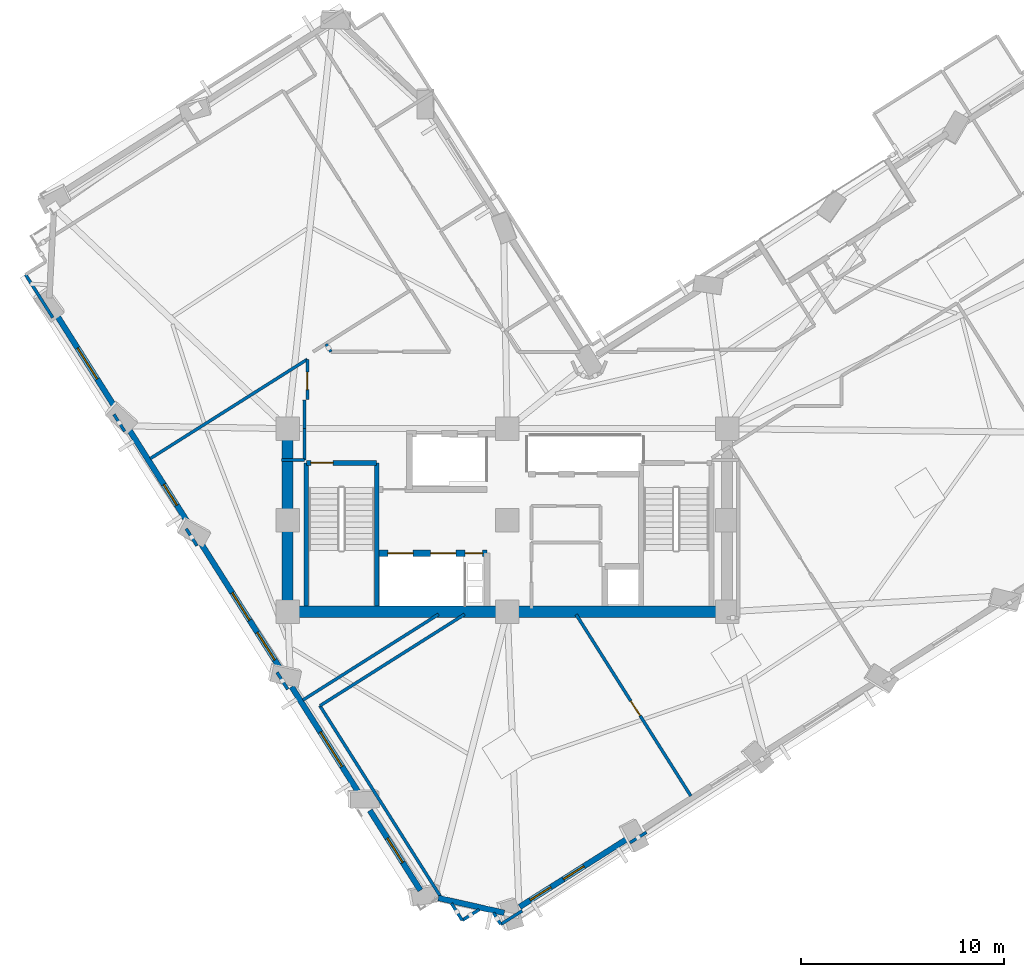
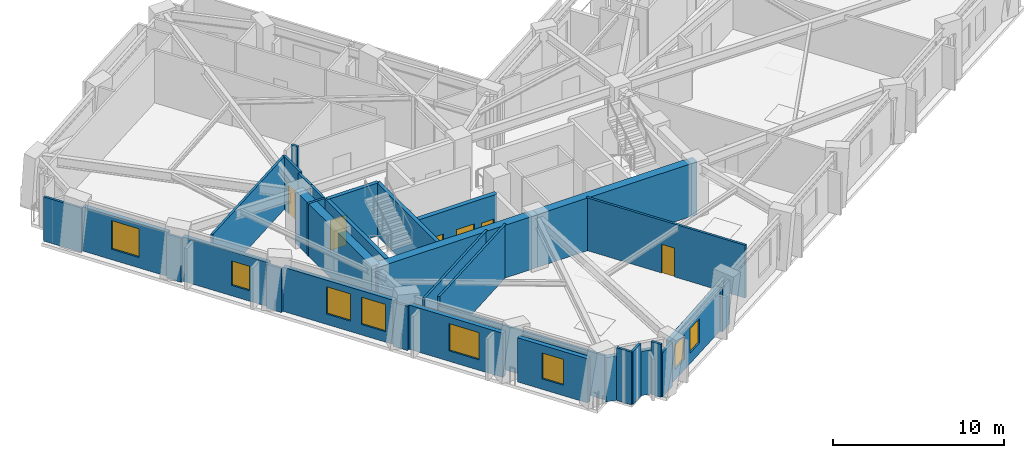
# One storey, part 5 of 14: 33 walls, 8 windows, 6 doors, 14 openings.
"""IFC4 building model written with IfcOpenShell, lengths in metres."""

from ifc_helpers import new_model, si_unit, direction, frame, frame_2d, origin, place, context, subcontext, project, spatial, rectangle, extrude, material, layer, layer_set, type_object, element, fill, save


model = new_model("IFC4")

# Units and contexts
model_context = context("Model", 3, precision=1e-05, world=origin(), true_north=direction((0.0, 1.0)))
body_context = subcontext(model_context, "Body", "Model", "MODEL_VIEW")
ifc_project = project(units=[si_unit("LENGTHUNIT", "METRE"), si_unit("AREAUNIT", "SQUARE_METRE"), si_unit("VOLUMEUNIT", "CUBIC_METRE"), si_unit("PLANEANGLEUNIT", "RADIAN"), si_unit("MASSUNIT", "GRAM", prefix="KILO")], contexts=[model_context])

# Site, building, storey
site_placement = place(None, origin())
site = spatial("IfcSite", under=ifc_project, at=site_placement, CompositionType="ELEMENT")
building_placement = place(site_placement, origin())
building = spatial("IfcBuilding", under=site, at=building_placement, Name="Gaonmaruhae Medical Tower", CompositionType="ELEMENT")
storey_placement = place(building_placement, frame((0.0, 0.0, 161.800048828125)))
storey = spatial("IfcBuildingStorey", under=building, at=storey_placement, Name="L38", CompositionType="ELEMENT", Elevation=161.800048828125)

# Walls
ifc_material_1 = material(Name="Concrete C50/60", Category="concrete")
ifc_layer_1 = layer(ifc_material_1, 0.550048828125)
ifc_layer_set_1 = layer_set([ifc_layer_1], Name="Concrete C50/60")
wall_type_1 = type_object("IfcWallType", Name="CW-550 Mid-High Core Shear Wall", PredefinedType="SHEAR", material=ifc_layer_set_1)
for number, where, z_axis, x_axis, name in (
    (1, (14.0, 7.800048828125, 0.0), (0.0, 0.0, 1.0), (1.0, 0.0, 0.0), "L38 Core Shear Wall CSW-S1"),
    (2, (24.800048828125, 7.800048828125, 0.0), (0.0, 0.0, 1.0), (1.0, 0.0, 0.0), "L38 Core Shear Wall CSW-S2"),
):
    element("IfcWall", number, at=place(storey_placement, frame(where, z_axis=z_axis, x_axis=x_axis)), inside=storey, type_object=wall_type_1, Name=name, PredefinedType="SHEAR", context=body_context, shape_type="SweptSolid", body=[
        extrude(rectangle(XDim=10.800048828125, YDim=0.550048828125, at=frame_2d((5.39990234375, 0.0))), origin(), (0.0, 0.0, 1.0), 3.780029296875),
    ])
wall_1_placement = place(storey_placement, frame((14.0, 16.800048828125, 0.0), z_axis=(0.0, 0.0, 1.0), x_axis=(0.0, -1.0, 0.0)))
element("IfcWall", 3, at=wall_1_placement, inside=storey, type_object=wall_type_1, Name="L38 Core Shear Wall CSW-W1", PredefinedType="SHEAR", context=body_context, shape_type="SweptSolid", body=[
    extrude(rectangle(XDim=9.0, YDim=0.550048828125, at=frame_2d((4.5, 0.0))), origin(), (0.0, 0.0, 1.0), 3.780029296875),
])

# Wall, openings, windows
ifc_material_2 = material(Name="Precast concrete C45/55", Category="concrete")
ifc_layer_2 = layer(ifc_material_2, 0.280029296875)
ifc_layer_set_2 = layer_set([ifc_layer_2], Name="Precast concrete C45/55")
wall_type_2 = type_object("IfcWallType", Name="EW-280 Upper Precast Masonry-Frame Facade Wall", PredefinedType="SOLIDWALL", material=ifc_layer_set_2)
wall_2_placement = place(storey_placement, frame((30.70556640625, -3.35302734375, 0.0), z_axis=(0.0, 0.0, 1.0), x_axis=(-0.845254723523, -0.534363595656, 0.0)))
wall_2 = element("IfcWall", 4, at=wall_2_placement, inside=storey, type_object=wall_type_2, Name="L38 Precast Masonry-Frame Wall S01-S02", PredefinedType="SOLIDWALL", context=body_context, shape_type="SweptSolid", body=[
    extrude(rectangle(XDim=6.269775390625, YDim=0.280029296875, at=frame_2d((3.134765625, 0.0))), origin(), (0.0, 0.0, 1.0), 3.1650390625),
])
opening_1_placement = place(wall_2_placement, frame((2.529296875, 0.0, 0.75)))
opening_1 = element("IfcOpeningElement", 5, at=opening_1_placement, cuts=wall_2, Name="Opening WN-05", PredefinedType="OPENING", context=body_context, shape_type="SweptSolid", body=[
    extrude(rectangle(XDim=1.199951171875, YDim=1.75, at=frame_2d((0.60009765625, 0.875))), frame((0.0, 0.14990234375, 0.0), z_axis=(0.0, -1.0, 0.0), x_axis=(1.0, 0.0, 0.0)), (0.0, 0.0, 1.0), 0.300048828125),
])
opening_2_placement = place(wall_2_placement, frame((4.453857421875, 0.0, 0.75)))
opening_2 = element("IfcOpeningElement", 6, at=opening_2_placement, cuts=wall_2, Name="Opening WN-05", PredefinedType="OPENING", context=body_context, shape_type="SweptSolid", body=[
    extrude(rectangle(XDim=1.199951171875, YDim=1.75, at=frame_2d((0.60009765625, 0.875))), frame((0.0, 0.14990234375, 0.0), z_axis=(0.0, -1.0, 0.0), x_axis=(1.0, 0.0, 0.0)), (0.0, 0.0, 1.0), 0.300048828125),
])
ifc_material_3 = material(Name="Anodised aluminium and Low-E double glazing", Category="aluminium")
window_type_1 = type_object("IfcWindowType", Name="WN-05 Support & Staff Punched Window 1200x1750", PartitioningType="SINGLE_PANEL", PredefinedType="WINDOW", material=ifc_material_3)
window_1_placement = place(opening_1_placement, origin())
window_1 = element("IfcWindow", 7, at=window_1_placement, inside=storey, type_object=window_type_1, Name="L38 Modular Facade Window S01", OverallHeight=1.75, OverallWidth=1.199951171875, PartitioningType="SINGLE_PANEL", PredefinedType="WINDOW", context=body_context, shape_type="SweptSolid", body=[
    extrude(rectangle(XDim=1.199951171875, YDim=1.75, at=frame_2d((0.60009765625, 0.875))), frame((0.0, 0.030029296875, 0.0), z_axis=(0.0, -1.0, 0.0), x_axis=(1.0, 0.0, 0.0)), (0.0, 0.0, 1.0), 0.06005859375),
])
fill(opening_1, window_1)
window_2_placement = place(opening_2_placement, origin())
window_2 = element("IfcWindow", 8, at=window_2_placement, inside=storey, type_object=window_type_1, Name="L38 Modular Facade Window S01B", OverallHeight=1.75, OverallWidth=1.199951171875, PartitioningType="SINGLE_PANEL", PredefinedType="WINDOW", context=body_context, shape_type="SweptSolid", body=[
    extrude(rectangle(XDim=1.199951171875, YDim=1.75, at=frame_2d((0.60009765625, 0.875))), frame((0.0, 0.030029296875, 0.0), z_axis=(0.0, -1.0, 0.0), x_axis=(1.0, 0.0, 0.0)), (0.0, 0.0, 1.0), 0.06005859375),
])
fill(opening_2, window_2)

# Wall, opening, window
wall_3_placement = place(storey_placement, frame((5.66162109375, 17.623779296875, 0.0), z_axis=(0.0, 0.0, 1.0), x_axis=(-0.534374867021, 0.845247597746, 0.0)))
wall_3 = element("IfcWall", 9, at=wall_3_placement, inside=storey, type_object=wall_type_2, Name="L38 Precast Masonry-Frame Wall W01-W02", PredefinedType="SOLIDWALL", context=body_context, shape_type="SweptSolid", body=[
    extrude(rectangle(XDim=5.627685546875, YDim=0.280029296875, at=frame_2d((2.81396484375, 0.0))), origin(), (0.0, 0.0, 1.0), 3.1650390625),
])
opening_3_placement = place(wall_3_placement, frame((1.9111328125, 0.0, 0.75)))
opening_3 = element("IfcOpeningElement", 10, at=opening_3_placement, cuts=wall_3, Name="Opening WN-04", PredefinedType="OPENING", context=body_context, shape_type="SweptSolid", body=[
    extrude(rectangle(XDim=1.800048828125, YDim=2.050048828125, at=frame_2d((0.89990234375, 1.02490234375))), frame((0.0, 0.14990234375, 0.0), z_axis=(0.0, -1.0, 0.0), x_axis=(1.0, 0.0, 0.0)), (0.0, 0.0, 1.0), 0.300048828125),
])
window_type_2 = type_object("IfcWindowType", Name="WN-04 Clinic & Consult Punched Window 1800x2050", PartitioningType="SINGLE_PANEL", PredefinedType="WINDOW", material=ifc_material_3)
window_3_placement = place(opening_3_placement, origin())
window_3 = element("IfcWindow", 11, at=window_3_placement, inside=storey, type_object=window_type_2, Name="L38 Modular Facade Window W01", OverallHeight=2.050048828125, OverallWidth=1.800048828125, PartitioningType="SINGLE_PANEL", PredefinedType="WINDOW", context=body_context, shape_type="SweptSolid", body=[
    extrude(rectangle(XDim=1.800048828125, YDim=2.050048828125, at=frame_2d((0.89990234375, 1.02490234375))), frame((0.0, 0.030029296875, 0.0), z_axis=(0.0, -1.0, 0.0), x_axis=(1.0, 0.0, 0.0)), (0.0, 0.0, 1.0), 0.06005859375),
])
fill(opening_3, window_3)

wall_4_placement = place(storey_placement, frame((9.212158203125, 12.007080078125, 0.0), z_axis=(0.0, 0.0, 1.0), x_axis=(-0.534348210739, 0.845264449554, 0.0)))
wall_4 = element("IfcWall", 12, at=wall_4_placement, inside=storey, type_object=wall_type_2, Name="L38 Precast Masonry-Frame Wall W02-W03", PredefinedType="SOLIDWALL", context=body_context, shape_type="SweptSolid", body=[
    extrude(rectangle(XDim=5.662353515625, YDim=0.280029296875, at=frame_2d((2.8310546875, 0.0))), origin(), (0.0, 0.0, 1.0), 3.1650390625),
])
opening_4_placement = place(wall_4_placement, frame((1.223388671875, 0.0, 0.75)))
opening_4 = element("IfcOpeningElement", 13, at=opening_4_placement, cuts=wall_4, Name="Opening WN-05", PredefinedType="OPENING", context=body_context, shape_type="SweptSolid", body=[
    extrude(rectangle(XDim=1.199951171875, YDim=1.75, at=frame_2d((0.60009765625, 0.875))), frame((0.0, 0.14990234375, 0.0), z_axis=(0.0, -1.0, 0.0), x_axis=(1.0, 0.0, 0.0)), (0.0, 0.0, 1.0), 0.300048828125),
])
window_4_placement = place(opening_4_placement, origin())
window_4 = element("IfcWindow", 14, at=window_4_placement, inside=storey, type_object=window_type_1, Name="L38 Modular Facade Window W02", OverallHeight=1.75, OverallWidth=1.199951171875, PartitioningType="SINGLE_PANEL", PredefinedType="WINDOW", context=body_context, shape_type="SweptSolid", body=[
    extrude(rectangle(XDim=1.199951171875, YDim=1.75, at=frame_2d((0.60009765625, 0.875))), frame((0.0, 0.030029296875, 0.0), z_axis=(0.0, -1.0, 0.0), x_axis=(1.0, 0.0, 0.0)), (0.0, 0.0, 1.0), 0.06005859375),
])
fill(opening_4, window_4)

# Wall, openings, windows
wall_5_placement = place(storey_placement, frame((13.67529296875, 4.947265625, 0.0), z_axis=(0.0, 0.0, 1.0), x_axis=(-0.534359841205, 0.845257097047, 0.0)))
wall_5 = element("IfcWall", 15, at=wall_5_placement, inside=storey, type_object=wall_type_2, Name="L38 Precast Masonry-Frame Wall W03-W04", PredefinedType="SOLIDWALL", context=body_context, shape_type="SweptSolid", body=[
    extrude(rectangle(XDim=7.3603515625, YDim=0.280029296875, at=frame_2d((3.68017578125, 0.0))), origin(), (0.0, 0.0, 1.0), 3.1650390625),
])
opening_5_placement = place(wall_5_placement, frame((2.880859375, 0.0, 0.75)))
opening_5 = element("IfcOpeningElement", 16, at=opening_5_placement, cuts=wall_5, Name="Opening WN-01", PredefinedType="OPENING", context=body_context, shape_type="SweptSolid", body=[
    extrude(rectangle(XDim=1.60009765625, YDim=1.949951171875, at=frame_2d((0.800048828125, 0.97509765625))), frame((0.0, 0.14990234375, 0.0), z_axis=(0.0, -1.0, 0.0), x_axis=(1.0, 0.0, 0.0)), (0.0, 0.0, 1.0), 0.300048828125),
])
opening_6_placement = place(wall_5_placement, frame((0.576171875, 0.0, 0.75)))
opening_6 = element("IfcOpeningElement", 17, at=opening_6_placement, cuts=wall_5, Name="Opening WN-01", PredefinedType="OPENING", context=body_context, shape_type="SweptSolid", body=[
    extrude(rectangle(XDim=1.60009765625, YDim=1.949951171875, at=frame_2d((0.800048828125, 0.97509765625))), frame((0.0, 0.14990234375, 0.0), z_axis=(0.0, -1.0, 0.0), x_axis=(1.0, 0.0, 0.0)), (0.0, 0.0, 1.0), 0.300048828125),
])
window_type_3 = type_object("IfcWindowType", Name="WN-01 Ward Punched Acoustic Window 1600x1950", PartitioningType="SINGLE_PANEL", PredefinedType="WINDOW", material=ifc_material_3)
window_5_placement = place(opening_5_placement, origin())
window_5 = element("IfcWindow", 18, at=window_5_placement, inside=storey, type_object=window_type_3, Name="L38 Modular Facade Window W03", OverallHeight=1.949951171875, OverallWidth=1.60009765625, PartitioningType="SINGLE_PANEL", PredefinedType="WINDOW", context=body_context, shape_type="SweptSolid", body=[
    extrude(rectangle(XDim=1.60009765625, YDim=1.949951171875, at=frame_2d((0.800048828125, 0.97509765625))), frame((0.0, 0.030029296875, 0.0), z_axis=(0.0, -1.0, 0.0), x_axis=(1.0, 0.0, 0.0)), (0.0, 0.0, 1.0), 0.06005859375),
])
fill(opening_5, window_5)
window_6_placement = place(opening_6_placement, origin())
window_6 = element("IfcWindow", 19, at=window_6_placement, inside=storey, type_object=window_type_3, Name="L38 Modular Facade Window W03B", OverallHeight=1.949951171875, OverallWidth=1.60009765625, PartitioningType="SINGLE_PANEL", PredefinedType="WINDOW", context=body_context, shape_type="SweptSolid", body=[
    extrude(rectangle(XDim=1.60009765625, YDim=1.949951171875, at=frame_2d((0.800048828125, 0.97509765625))), frame((0.0, 0.030029296875, 0.0), z_axis=(0.0, -1.0, 0.0), x_axis=(1.0, 0.0, 0.0)), (0.0, 0.0, 1.0), 0.06005859375),
])
fill(opening_6, window_6)

# Wall, opening, window
wall_6_placement = place(storey_placement, frame((17.52783203125, -1.14697265625, 0.0), z_axis=(0.0, 0.0, 1.0), x_axis=(-0.534339793989, 0.845269770287, 0.0)))
wall_6 = element("IfcWall", 20, at=wall_6_placement, inside=storey, type_object=wall_type_2, Name="L38 Precast Masonry-Frame Wall W04-W05", PredefinedType="SOLIDWALL", context=body_context, shape_type="SweptSolid", body=[
    extrude(rectangle(XDim=6.223388671875, YDim=0.280029296875, at=frame_2d((3.11181640625, 0.0))), origin(), (0.0, 0.0, 1.0), 3.1650390625),
])
opening_7_placement = place(wall_6_placement, frame((1.587646484375, 0.0, 0.75)))
opening_7 = element("IfcOpeningElement", 21, at=opening_7_placement, cuts=wall_6, Name="Opening WN-02", PredefinedType="OPENING", context=body_context, shape_type="SweptSolid", body=[
    extrude(rectangle(XDim=2.0, YDim=1.949951171875, at=frame_2d((1.0, 0.97509765625))), frame((0.0, 0.14990234375, 0.0), z_axis=(0.0, -1.0, 0.0), x_axis=(1.0, 0.0, 0.0)), (0.0, 0.0, 1.0), 0.300048828125),
])
window_type_4 = type_object("IfcWindowType", Name="WN-02 Double-Bed Ward Punched Window 2000x1950", PartitioningType="SINGLE_PANEL", PredefinedType="WINDOW", material=ifc_material_3)
window_7_placement = place(opening_7_placement, origin())
window_7 = element("IfcWindow", 22, at=window_7_placement, inside=storey, type_object=window_type_4, Name="L38 Modular Facade Window W04", OverallHeight=1.949951171875, OverallWidth=2.0, PartitioningType="SINGLE_PANEL", PredefinedType="WINDOW", context=body_context, shape_type="SweptSolid", body=[
    extrude(rectangle(XDim=2.0, YDim=1.949951171875, at=frame_2d((1.0, 0.97509765625))), frame((0.0, 0.030029296875, 0.0), z_axis=(0.0, -1.0, 0.0), x_axis=(1.0, 0.0, 0.0)), (0.0, 0.0, 1.0), 0.06005859375),
])
fill(opening_7, window_7)

wall_7_placement = place(storey_placement, frame((20.527099609375, -5.8916015625, 0.0), z_axis=(0.0, 0.0, 1.0), x_axis=(-0.53434079208, 0.845269139339, 0.0)))
wall_7 = element("IfcWall", 23, at=wall_7_placement, inside=storey, type_object=wall_type_2, Name="L38 Precast Masonry-Frame Wall W05-W06", PredefinedType="SOLIDWALL", context=body_context, shape_type="SweptSolid", body=[
    extrude(rectangle(XDim=4.647705078125, YDim=0.280029296875, at=frame_2d((2.32373046875, 0.0))), origin(), (0.0, 0.0, 1.0), 3.1650390625),
])
opening_8_placement = place(wall_7_placement, frame((1.627197265625, 0.0, 0.75)))
opening_8 = element("IfcOpeningElement", 24, at=opening_8_placement, cuts=wall_7, Name="Opening WN-03", PredefinedType="OPENING", context=body_context, shape_type="SweptSolid", body=[
    extrude(rectangle(XDim=1.39990234375, YDim=1.85009765625, at=frame_2d((0.699951171875, 0.925048828125))), frame((0.0, 0.14990234375, 0.0), z_axis=(0.0, -1.0, 0.0), x_axis=(1.0, 0.0, 0.0)), (0.0, 0.0, 1.0), 0.300048828125),
])
window_type_5 = type_object("IfcWindowType", Name="WN-03 Isolation Ward Punched Window 1400x1850", PartitioningType="SINGLE_PANEL", PredefinedType="WINDOW", material=ifc_material_3)
window_8_placement = place(opening_8_placement, origin())
window_8 = element("IfcWindow", 25, at=window_8_placement, inside=storey, type_object=window_type_5, Name="L38 Modular Facade Window W05", OverallHeight=1.85009765625, OverallWidth=1.39990234375, PartitioningType="SINGLE_PANEL", PredefinedType="WINDOW", context=body_context, shape_type="SweptSolid", body=[
    extrude(rectangle(XDim=1.39990234375, YDim=1.85009765625, at=frame_2d((0.699951171875, 0.925048828125))), frame((0.0, 0.030029296875, 0.0), z_axis=(0.0, -1.0, 0.0), x_axis=(1.0, 0.0, 0.0)), (0.0, 0.0, 1.0), 0.06005859375),
])
fill(opening_8, window_8)

# Walls
wall_8_placement = place(storey_placement, frame((24.647705078125, -6.996337890625, 0.0), z_axis=(0.0, 0.0, 1.0), x_axis=(-0.97553613825, 0.219839129747, 0.0)))
element("IfcWall", 26, at=wall_8_placement, inside=storey, type_object=wall_type_2, Name="L38 Precast Masonry-Frame Wall W06-S01", PredefinedType="SOLIDWALL", context=body_context, shape_type="SweptSolid", body=[
    extrude(rectangle(XDim=3.32275390625, YDim=0.280029296875, at=frame_2d((1.661376953125, 0.0))), origin(), (0.0, 0.0, 1.0), 3.1650390625),
])
ifc_material_4 = material(Name="Gypsum board partition", Category="gypsum")
ifc_layer_3 = layer(ifc_material_4, 0.14990234375)
ifc_layer_set_3 = layer_set([ifc_layer_3], Name="Gypsum board partition")
wall_type_3 = type_object("IfcWallType", Name="PW-150 Rated Clinical Corridor Partition", PredefinedType="PARTITIONING", material=ifc_layer_set_3)
wall_9_placement = place(storey_placement, frame((22.58203125, -7.364013671875, 0.0), z_axis=(0.0, 0.0, 1.0), x_axis=(-0.534262963466, 0.845318334043, 0.0)))
element("IfcWall", 27, at=wall_9_placement, inside=storey, type_object=wall_type_3, Name="L38 Interior Partition L38-SUP01-7", PredefinedType="PARTITIONING", context=body_context, shape_type="SweptSolid", body=[
    extrude(rectangle(XDim=0.986572265625, YDim=0.14990234375, at=frame_2d((0.4931640625, 0.0))), origin(), (0.0, 0.0, 1.0), 3.780029296875),
])
wall_10_placement = place(storey_placement, frame((21.5009765625, -6.1689453125, 0.0), z_axis=(0.0, 0.0, 1.0), x_axis=(-0.534362466771, 0.845255437194, 0.0)))
element("IfcWall", 28, at=wall_10_placement, inside=storey, type_object=wall_type_3, Name="L38 Interior Partition L38-SUP01-8", PredefinedType="PARTITIONING", context=body_context, shape_type="SweptSolid", body=[
    extrude(rectangle(XDim=11.0615234375, YDim=0.14990234375, at=frame_2d((5.53076171875, 0.0))), origin(), (0.0, 0.0, 1.0), 3.1650390625),
])
wall_11_placement = place(storey_placement, frame((15.590087890625, 3.180908203125, 0.0), z_axis=(0.0, 0.0, 1.0), x_axis=(0.845257053827, 0.53435990957, 0.0)))
element("IfcWall", 29, at=wall_11_placement, inside=storey, type_object=wall_type_3, Name="L38 Interior Partition L38-SUP01-9", PredefinedType="PARTITIONING", context=body_context, shape_type="SweptSolid", body=[
    extrude(rectangle(XDim=8.410400390625, YDim=0.14990234375, at=frame_2d((4.205078125, 0.0))), origin(), (0.0, 0.0, 1.0), 3.780029296875),
])

# Wall, opening, door
wall_12_placement = place(storey_placement, frame((28.18310546875, 7.6650390625, 0.0), z_axis=(0.0, 0.0, 1.0), x_axis=(0.534336995893, -0.845271539104, 0.0)))
wall_12 = element("IfcWall", 30, at=wall_12_placement, inside=storey, type_object=wall_type_3, Name="L38 Interior Partition L38-SUP01-10", PredefinedType="PARTITIONING", context=body_context, shape_type="SweptSolid", body=[
    extrude(rectangle(XDim=10.5458984375, YDim=0.14990234375, at=frame_2d((5.27294921875, 0.0))), origin(), (0.0, 0.0, 1.0), 3.780029296875),
])
opening_9_placement = place(wall_12_placement, frame((5.020263671875, 0.0, 0.0)))
opening_9 = element("IfcOpeningElement", 31, at=opening_9_placement, cuts=wall_12, Name="Opening AD-01", PredefinedType="OPENING", context=body_context, shape_type="SweptSolid", body=[
    extrude(rectangle(XDim=0.860107421875, YDim=2.06005859375, at=frame_2d((0.43017578125, 1.030029296875))), frame((0.0, 0.0849609375, 0.0), z_axis=(0.0, -1.0, 0.0), x_axis=(1.0, 0.0, 0.0)), (0.0, 0.0, 1.0), 0.169921875),
])
ifc_material_5 = material(Name="Powder-coated steel access door", Category="steel")
door_type_1 = type_object("IfcDoorType", Name="AD-01 Riser & Closet Access Fire Door 860x2060", OperationType="NOTDEFINED", PredefinedType="DOOR", material=ifc_material_5)
door_1_placement = place(opening_9_placement, origin())
door_1 = element("IfcDoor", 32, at=door_1_placement, inside=storey, type_object=door_type_1, Name="L38 Clinical Biomedical Charting Office Sliding Door", OperationType="SLIDING_TO_LEFT", OverallHeight=2.06005859375, OverallWidth=0.860107421875, PredefinedType="DOOR", context=body_context, shape_type="SweptSolid", body=[
    extrude(rectangle(XDim=0.860107421875, YDim=2.06005859375, at=frame_2d((0.43017578125, 1.030029296875))), frame((0.0, 0.02490234375, 0.0), z_axis=(0.0, -1.0, 0.0), x_axis=(1.0, 0.0, 0.0)), (0.0, 0.0, 1.0), 0.050048828125),
])
fill(opening_9, door_1)

# Walls
wall_13_placement = place(storey_placement, frame((31.633056640625, -3.0390625, 0.0), z_axis=(0.0, 0.0, 1.0), x_axis=(-0.844884788522, -0.534948309769, 0.0)))
element("IfcWall", 33, at=wall_13_placement, inside=storey, type_object=wall_type_3, Name="L38 Interior Partition L38-SUP01-11", PredefinedType="PARTITIONING", context=body_context, shape_type="SweptSolid", body=[
    extrude(rectangle(XDim=0.95166015625, YDim=0.14990234375, at=frame_2d((0.475830078125, 0.0))), origin(), (0.0, 0.0, 1.0), 3.1650390625),
])
wall_14_placement = place(storey_placement, frame((25.529052734375, -6.89794921875, 0.0), z_axis=(0.0, 0.0, 1.0), x_axis=(-0.845432743245, -0.534081900694, 0.0)))
element("IfcWall", 34, at=wall_14_placement, inside=storey, type_object=wall_type_3, Name="L38 Interior Partition L38-SUP01-12", PredefinedType="PARTITIONING", context=body_context, shape_type="SweptSolid", body=[
    extrude(rectangle(XDim=1.23974609375, YDim=0.14990234375, at=frame_2d((0.619873046875, 0.0))), origin(), (0.0, 0.0, 1.0), 3.1650390625),
])
wall_15_placement = place(storey_placement, frame((24.48095703125, -7.56005859375, 0.0), z_axis=(0.0, 0.0, 1.0), x_axis=(-0.534790981334, 0.844984382272, 0.0)))
element("IfcWall", 35, at=wall_15_placement, inside=storey, type_object=wall_type_3, Name="L38 Interior Partition L38-SUP01-13", PredefinedType="PARTITIONING", context=body_context, shape_type="SweptSolid", body=[
    extrude(rectangle(XDim=0.66748046875, YDim=0.14990234375, at=frame_2d((0.333740234375, 0.0))), origin(), (0.0, 0.0, 1.0), 3.780029296875),
])
wall_16_placement = place(storey_placement, frame((23.4169921875, -6.8369140625, 0.0), z_axis=(0.0, 0.0, 1.0), x_axis=(-0.845600514988, -0.533816231537, 0.0)))
element("IfcWall", 36, at=wall_16_placement, inside=storey, type_object=wall_type_3, Name="L38 Interior Partition L38-SUP01-14", PredefinedType="PARTITIONING", context=body_context, shape_type="SweptSolid", body=[
    extrude(rectangle(XDim=0.9873046875, YDim=0.14990234375, at=frame_2d((0.49365234375, 0.0))), origin(), (0.0, 0.0, 1.0), 3.780029296875),
])
wall_17_placement = place(storey_placement, frame((14.820068359375, 18.199951171875, 0.0), z_axis=(0.0, 0.0, 1.0), x_axis=(0.01499656939, -0.99988754513, 0.0)))
element("IfcWall", 37, at=wall_17_placement, inside=storey, type_object=wall_type_3, Name="L38 Interior Partition L38-WOF05-35", PredefinedType="PARTITIONING", context=body_context, shape_type="SweptSolid", body=[
    extrude(rectangle(XDim=1.400146484375, YDim=0.14990234375, at=frame_2d((0.7001953125, 0.0))), origin(), (0.0, 0.0, 1.0), 3.780029296875),
])
wall_18_placement = place(storey_placement, frame((14.841064453125, 16.800048828125, 0.0), z_axis=(0.0, 0.0, 1.0), x_axis=(-0.01363221443, -0.999907077048, 0.0)))
element("IfcWall", 38, at=wall_18_placement, inside=storey, type_object=wall_type_3, Name="L38 Interior Partition L38-WOF05-36", PredefinedType="PARTITIONING", context=body_context, shape_type="SweptSolid", body=[
    extrude(rectangle(XDim=1.540283203125, YDim=0.14990234375, at=frame_2d((0.77001953125, 0.0))), origin(), (0.0, 0.0, 1.0), 3.780029296875),
])
wall_19_placement = place(storey_placement, frame((14.820068359375, 15.260009765625, 0.0), z_axis=(0.0, 0.0, 1.0), x_axis=(-1.0, 0.0, 0.0)))
element("IfcWall", 39, at=wall_19_placement, inside=storey, type_object=wall_type_3, Name="L38 Interior Partition L38-WOF05-37", PredefinedType="PARTITIONING", context=body_context, shape_type="SweptSolid", body=[
    extrude(rectangle(XDim=1.1201171875, YDim=0.14990234375, at=frame_2d((0.56005859375, 0.0))), origin(), (0.0, 0.0, 1.0), 3.780029296875),
])
wall_20_placement = place(storey_placement, frame((21.4169921875, 7.675048828125, 0.0), z_axis=(0.0, 0.0, 1.0), x_axis=(-0.845260047402, -0.534355174268, 0.0)))
element("IfcWall", 40, at=wall_20_placement, inside=storey, type_object=wall_type_3, Name="L38 Interior Partition L38-WOF05-38", PredefinedType="PARTITIONING", context=body_context, shape_type="SweptSolid", body=[
    extrude(rectangle(XDim=7.88623046875, YDim=0.14990234375, at=frame_2d((3.943115234375, 0.0))), origin(), (0.0, 0.0, 1.0), 3.780029296875),
])
wall_21_placement = place(storey_placement, frame((14.008056640625, 3.990966796875, 0.0), z_axis=(0.0, 0.0, 1.0), x_axis=(-0.534710294064, 0.845035443885, 0.0)))
element("IfcWall", 41, at=wall_21_placement, inside=storey, type_object=wall_type_3, Name="L38 Interior Partition L38-WOF05-39", PredefinedType="PARTITIONING", context=body_context, shape_type="SweptSolid", body=[
    extrude(rectangle(XDim=0.98583984375, YDim=0.14990234375, at=frame_2d((0.492919921875, 0.0))), origin(), (0.0, 0.0, 1.0), 3.1650390625),
])
wall_22_placement = place(storey_placement, frame((9.548095703125, 11.0458984375, 0.0), z_axis=(0.0, 0.0, 1.0), x_axis=(-0.534483823757, 0.845178704264, 0.0)))
element("IfcWall", 42, at=wall_22_placement, inside=storey, type_object=wall_type_3, Name="L38 Interior Partition L38-WOF05-40", PredefinedType="PARTITIONING", context=body_context, shape_type="SweptSolid", body=[
    extrude(rectangle(XDim=0.99169921875, YDim=0.14990234375, at=frame_2d((0.495849609375, 0.0))), origin(), (0.0, 0.0, 1.0), 3.1650390625),
])
wall_23_placement = place(storey_placement, frame((7.2490234375, 15.327880859375, 0.0), z_axis=(0.0, 0.0, 1.0), x_axis=(0.845207448996, 0.534438367038, 0.0)))
element("IfcWall", 43, at=wall_23_placement, inside=storey, type_object=wall_type_3, Name="L38 Interior Partition L38-WOF05-41", PredefinedType="PARTITIONING", context=body_context, shape_type="SweptSolid", body=[
    extrude(rectangle(XDim=9.135009765625, YDim=0.14990234375, at=frame_2d((4.5673828125, 0.0))), origin(), (0.0, 0.0, 1.0), 3.780029296875),
])

# Wall, opening, door
wall_24_placement = place(storey_placement, frame((14.969970703125, 20.2099609375, 0.0), z_axis=(0.0, 0.0, 1.0), x_axis=(0.0, -1.0, 0.0)))
wall_24 = element("IfcWall", 44, at=wall_24_placement, inside=storey, type_object=wall_type_3, Name="L38 Interior Partition L38-WOF05-42", PredefinedType="PARTITIONING", context=body_context, shape_type="SweptSolid", body=[
    extrude(rectangle(XDim=1.97998046875, YDim=0.14990234375, at=frame_2d((0.989990234375, 0.0))), origin(), (0.0, 0.0, 1.0), 3.780029296875),
])
opening_10_placement = place(wall_24_placement, frame((0.627197265625, 0.0, 0.0)))
opening_10 = element("IfcOpeningElement", 45, at=opening_10_placement, cuts=wall_24, Name="Opening AD-01", PredefinedType="OPENING", context=body_context, shape_type="SweptSolid", body=[
    extrude(rectangle(XDim=0.860107421875, YDim=2.06005859375, at=frame_2d((0.43017578125, 1.030029296875))), frame((0.0, 0.0849609375, 0.0), z_axis=(0.0, -1.0, 0.0), x_axis=(1.0, 0.0, 0.0)), (0.0, 0.0, 1.0), 0.169921875),
])
door_2_placement = place(opening_10_placement, origin())
door_2 = element("IfcDoor", 46, at=door_2_placement, inside=storey, type_object=door_type_1, Name="L38 Ward Physician Reporting Office Sliding Door", OperationType="SLIDING_TO_LEFT", OverallHeight=2.06005859375, OverallWidth=0.860107421875, PredefinedType="DOOR", context=body_context, shape_type="SweptSolid", body=[
    extrude(rectangle(XDim=0.860107421875, YDim=2.06005859375, at=frame_2d((0.43017578125, 1.030029296875))), frame((0.0, 0.02490234375, 0.0), z_axis=(0.0, -1.0, 0.0), x_axis=(1.0, 0.0, 0.0)), (0.0, 0.0, 1.0), 0.050048828125),
])
fill(opening_10, door_2)

# Walls
wall_25_placement = place(storey_placement, frame((5.991943359375, 16.669921875, 0.0), z_axis=(0.0, 0.0, 1.0), x_axis=(-0.534011681052, 0.845477098744, 0.0)))
element("IfcWall", 47, at=wall_25_placement, inside=storey, type_object=wall_type_3, Name="L38 Interior Partition L38-WOF06-43", PredefinedType="PARTITIONING", context=body_context, shape_type="SweptSolid", body=[
    extrude(rectangle(XDim=0.98291015625, YDim=0.14990234375, at=frame_2d((0.491455078125, 0.0))), origin(), (0.0, 0.0, 1.0), 3.1650390625),
])
wall_26_placement = place(storey_placement, frame((2.4599609375, 22.258056640625, 0.0), z_axis=(0.0, 0.0, 1.0), x_axis=(-0.534443171418, 0.845204411089, 0.0)))
element("IfcWall", 48, at=wall_26_placement, inside=storey, type_object=wall_type_3, Name="L38 Interior Partition L38-WOF06-44", PredefinedType="PARTITIONING", context=body_context, shape_type="SweptSolid", body=[
    extrude(rectangle(XDim=2.50927734375, YDim=0.14990234375, at=frame_2d((1.254638671875, 0.0))), origin(), (0.0, 0.0, 1.0), 3.1650390625),
])
wall_27_placement = place(storey_placement, frame((16.132080078125, 20.580078125, 0.0), z_axis=(0.0, 0.0, 1.0), x_axis=(-0.53352132423, 0.845786614101, 0.0)))
element("IfcWall", 49, at=wall_27_placement, inside=storey, type_object=wall_type_3, Name="L38 Interior Partition L38-RM02-97", PredefinedType="PARTITIONING", context=body_context, shape_type="SweptSolid", body=[
    extrude(rectangle(XDim=0.447998046875, YDim=0.14990234375, at=frame_2d((0.22412109375, 0.0))), origin(), (0.0, 0.0, 1.0), 3.780029296875),
])

# Wall, opening, door
ifc_layer_4 = layer(ifc_material_1, 0.239990234375)
ifc_layer_set_4 = layer_set([ifc_layer_4], Name="Concrete C50/60")
wall_type_4 = type_object("IfcWallType", Name="SW-240 Dogleg Stair Tight Shaft Wall", PredefinedType="SOLIDWALL", material=ifc_layer_set_4)
wall_28_placement = place(storey_placement, frame((14.919921875, 15.1201171875, 0.0), z_axis=(0.0, 0.0, 1.0), x_axis=(1.0, 0.0, 0.0)))
wall_28 = element("IfcWall", 50, at=wall_28_placement, inside=storey, type_object=wall_type_4, Name="L38 ST-01 Stair Shaft Wall SHW-ST-01-N", PredefinedType="SOLIDWALL", context=body_context, shape_type="SweptSolid", body=[
    extrude(rectangle(XDim=3.4599609375, YDim=0.239990234375, at=frame_2d((1.72998046875, 0.0))), origin(), (0.0, 0.0, 1.0), 3.780029296875),
])
opening_11_placement = place(wall_28_placement, frame((0.219970703125, 0.0, 0.0)))
opening_11 = element("IfcOpeningElement", 51, at=opening_11_placement, cuts=wall_28, Name="Opening FD-01", PredefinedType="OPENING", context=body_context, shape_type="SweptSolid", body=[
    extrude(rectangle(XDim=1.10009765625, YDim=2.14990234375, at=frame_2d((0.550048828125, 1.074951171875))), frame((0.0, 0.1298828125, 0.0), z_axis=(0.0, -1.0, 0.0), x_axis=(1.0, 0.0, 0.0)), (0.0, 0.0, 1.0), 0.260009765625),
])
ifc_material_6 = material(Name="Powder-coated steel fire door", Category="steel")
door_type_2 = type_object("IfcDoorType", Name="FD-01 Escape Stair Protected Fire Door 1100x2150", OperationType="NOTDEFINED", PredefinedType="DOOR", material=ifc_material_6)
door_3_placement = place(opening_11_placement, origin())
door_3 = element("IfcDoor", 52, at=door_3_placement, inside=storey, type_object=door_type_2, Name="L38 ST-01 Protected Escape Stair Door", OperationType="SINGLE_SWING_RIGHT", OverallHeight=2.14990234375, OverallWidth=1.10009765625, PredefinedType="DOOR", context=body_context, shape_type="SweptSolid", body=[
    extrude(rectangle(XDim=1.10009765625, YDim=2.14990234375, at=frame_2d((0.550048828125, 1.074951171875))), frame((0.0, 0.02490234375, 0.0), z_axis=(0.0, -1.0, 0.0), x_axis=(1.0, 0.0, 0.0)), (0.0, 0.0, 1.0), 0.050048828125),
])
fill(opening_11, door_3)

# Walls
for number, where, z_axis, x_axis, name in (
    (53, (18.3798828125, 15.1201171875, 0.0), (0.0, 0.0, 1.0), (0.0, -1.0, 0.0), "L38 ST-01 Stair Shaft Wall SHW-ST-01-E"),
    (54, (14.919921875, 8.074951171875, 0.0), (0.0, 0.0, 1.0), (0.0, 1.0, 0.0), "L38 ST-01 Stair Shaft Wall SHW-ST-01-W"),
):
    element("IfcWall", number, at=place(storey_placement, frame(where, z_axis=z_axis, x_axis=x_axis)), inside=storey, type_object=wall_type_4, Name=name, PredefinedType="SOLIDWALL", context=body_context, shape_type="SweptSolid", body=[
        extrude(rectangle(XDim=7.045166015625, YDim=0.239990234375, at=frame_2d((3.5224609375, 0.0))), origin(), (0.0, 0.0, 1.0), 3.780029296875),
    ])

# Wall, openings, doors
ifc_layer_5 = layer(ifc_material_1, 0.300048828125)
ifc_layer_set_5 = layer_set([ifc_layer_5], Name="Concrete C50/60")
wall_type_5 = type_object("IfcWallType", Name="SW-300 Stair & Lift Hoistway Shaft Wall", PredefinedType="SOLIDWALL", material=ifc_layer_set_5)
wall_29_placement = place(storey_placement, frame((18.5, 10.679931640625, 0.0), z_axis=(0.0, 0.0, 1.0), x_axis=(1.0, 0.0, 0.0)))
wall_29 = element("IfcWall", 55, at=wall_29_placement, inside=storey, type_object=wall_type_5, Name="L38 Shaft Enclosure Wall SHW-FFN", PredefinedType="SOLIDWALL", context=body_context, shape_type="SweptSolid", body=[
    extrude(rectangle(XDim=5.300048828125, YDim=0.300048828125, at=frame_2d((2.64990234375, 0.0))), origin(), (0.0, 0.0, 1.0), 3.780029296875),
])
opening_12_placement = place(wall_29_placement, frame((4.219970703125, 0.0, 0.0)))
opening_12 = element("IfcOpeningElement", 56, at=opening_12_placement, cuts=wall_29, Name="Opening AD-01", PredefinedType="OPENING", context=body_context, shape_type="SweptSolid", body=[
    extrude(rectangle(XDim=0.860107421875, YDim=2.06005859375, at=frame_2d((0.43017578125, 1.030029296875))), frame((0.0, 0.16015625, 0.0), z_axis=(0.0, -1.0, 0.0), x_axis=(1.0, 0.0, 0.0)), (0.0, 0.0, 1.0), 0.320068359375),
])
opening_13_placement = place(wall_29_placement, frame((0.425048828125, 0.0, 0.0)))
opening_13 = element("IfcOpeningElement", 57, at=opening_13_placement, cuts=wall_29, Name="Opening LD-F1", PredefinedType="OPENING", context=body_context, shape_type="SweptSolid", body=[
    extrude(rectangle(XDim=1.25, YDim=2.179931640625, at=frame_2d((0.625, 1.08984375))), frame((0.0, 0.16015625, 0.0), z_axis=(0.0, -1.0, 0.0), x_axis=(1.0, 0.0, 0.0)), (0.0, 0.0, 1.0), 0.320068359375),
])
opening_14_placement = place(wall_29_placement, frame((2.52490234375, 0.0, 0.0)))
opening_14 = element("IfcOpeningElement", 58, at=opening_14_placement, cuts=wall_29, Name="Opening LD-F1", PredefinedType="OPENING", context=body_context, shape_type="SweptSolid", body=[
    extrude(rectangle(XDim=1.25, YDim=2.179931640625, at=frame_2d((0.625, 1.08984375))), frame((0.0, 0.16015625, 0.0), z_axis=(0.0, -1.0, 0.0), x_axis=(1.0, 0.0, 0.0)), (0.0, 0.0, 1.0), 0.320068359375),
])
door_4_placement = place(opening_12_placement, origin())
door_4 = element("IfcDoor", 59, at=door_4_placement, inside=storey, type_object=door_type_1, Name="L38 Medical Gas and MEP Riser Access Door", OperationType="SINGLE_SWING_RIGHT", OverallHeight=2.06005859375, OverallWidth=0.860107421875, PredefinedType="DOOR", context=body_context, shape_type="SweptSolid", body=[
    extrude(rectangle(XDim=0.860107421875, YDim=2.06005859375, at=frame_2d((0.43017578125, 1.030029296875))), frame((0.0, 0.02490234375, 0.0), z_axis=(0.0, -1.0, 0.0), x_axis=(1.0, 0.0, 0.0)), (0.0, 0.0, 1.0), 0.050048828125),
])
fill(opening_12, door_4)
ifc_material_7 = material(Name="Brushed stainless steel 316L landing door", Category="steel")
door_type_3 = type_object("IfcDoorType", Name="LD-F1 Firefighting & Bed Lift Sliding Landing Door 1250x2180", OperationType="NOTDEFINED", PredefinedType="DOOR", material=ifc_material_7)
door_5_placement = place(opening_13_placement, origin())
door_5 = element("IfcDoor", 60, at=door_5_placement, inside=storey, type_object=door_type_3, Name="L38 Firefighting Lift Landing Door FFL-01", OperationType="DOUBLE_DOOR_SLIDING", OverallHeight=2.179931640625, OverallWidth=1.25, PredefinedType="DOOR", context=body_context, shape_type="SweptSolid", body=[
    extrude(rectangle(XDim=1.25, YDim=2.179931640625, at=frame_2d((0.625, 1.08984375))), frame((0.0, 0.02490234375, 0.0), z_axis=(0.0, -1.0, 0.0), x_axis=(1.0, 0.0, 0.0)), (0.0, 0.0, 1.0), 0.050048828125),
])
fill(opening_13, door_5)
door_6_placement = place(opening_14_placement, origin())
door_6 = element("IfcDoor", 61, at=door_6_placement, inside=storey, type_object=door_type_3, Name="L38 Firefighting Lift Landing Door FFL-02", OperationType="DOUBLE_DOOR_SLIDING", OverallHeight=2.179931640625, OverallWidth=1.25, PredefinedType="DOOR", context=body_context, shape_type="SweptSolid", body=[
    extrude(rectangle(XDim=1.25, YDim=2.179931640625, at=frame_2d((0.625, 1.08984375))), frame((0.0, 0.02490234375, 0.0), z_axis=(0.0, -1.0, 0.0), x_axis=(1.0, 0.0, 0.0)), (0.0, 0.0, 1.0), 0.050048828125),
])
fill(opening_14, door_6)

save(model, "model.ifc")
